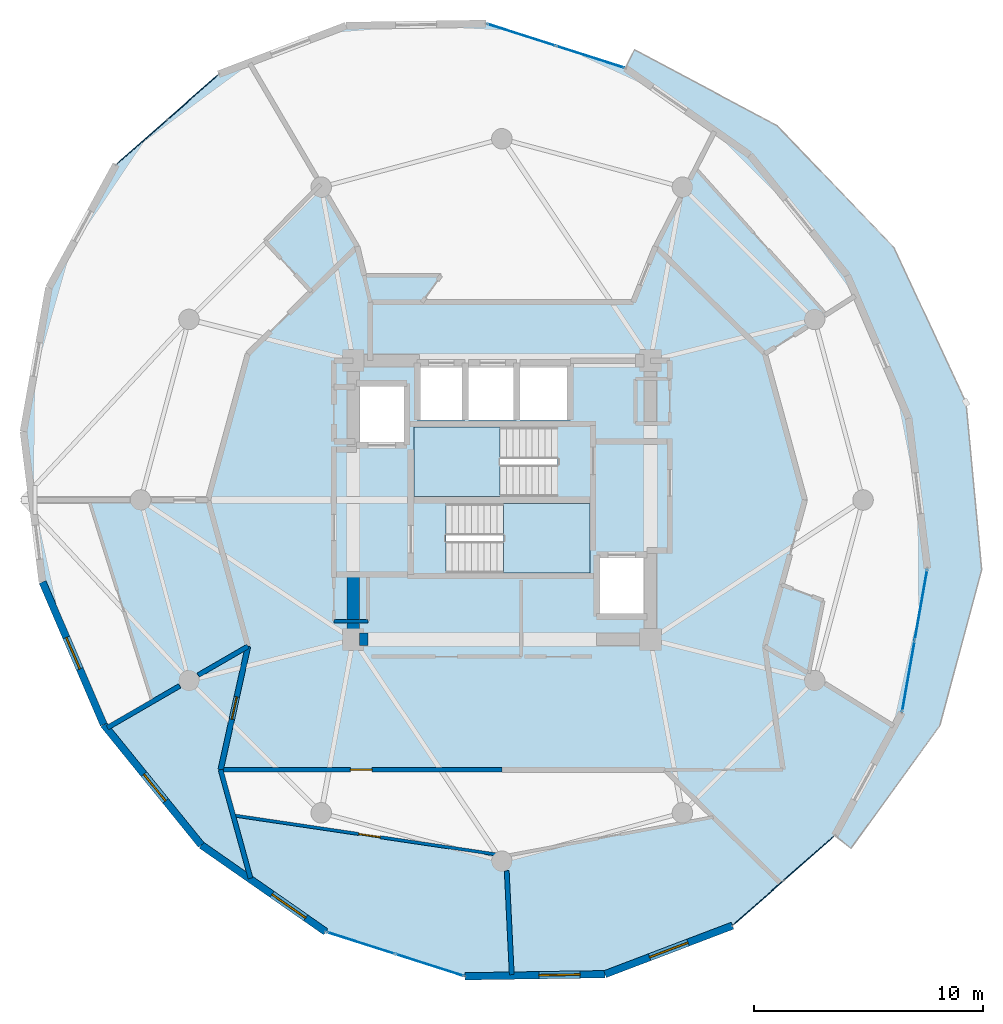
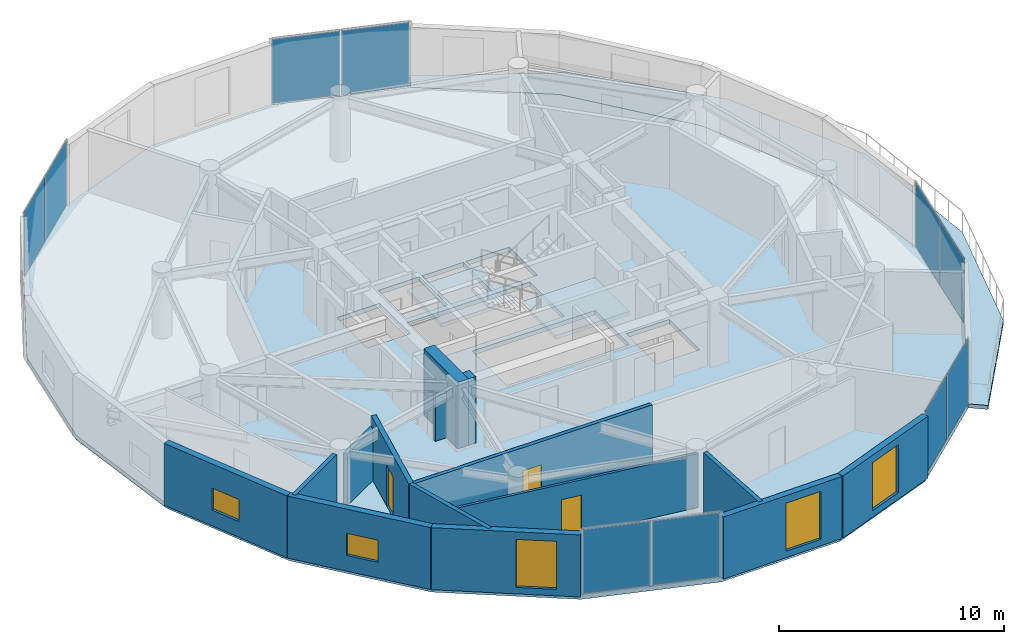
# One storey, part 12 of 18: 15 walls, 10 plates, 5 windows, 4 slabs, 3 doors, 8 openings, 7 elements without a shape of their own.
"""IFC4 building model written with IfcOpenShell, lengths in metres."""

from ifc_helpers import new_model, si_unit, direction, frame, frame_2d, origin, origin_2d, place, context, subcontext, project, spatial, polyline, rectangle, outline, extrude, source, transform, mapped, material, layer, layer_set, type_object, element, fill, aggregate, save


model = new_model("IFC4")

# Units and contexts
model_context = context("Model", 3, precision=1e-05, world=origin(), true_north=direction((0.0, 1.0)))
body_context = subcontext(model_context, "Body", "Model", "MODEL_VIEW")
ifc_project = project(units=[si_unit("LENGTHUNIT", "METRE"), si_unit("AREAUNIT", "SQUARE_METRE"), si_unit("VOLUMEUNIT", "CUBIC_METRE"), si_unit("PLANEANGLEUNIT", "RADIAN"), si_unit("MASSUNIT", "GRAM", prefix="KILO")], contexts=[model_context])

# Site, building, storey
site_placement = place(None, origin())
site = spatial("IfcSite", under=ifc_project, at=site_placement, CompositionType="ELEMENT")
building_placement = place(site_placement, origin())
building = spatial("IfcBuilding", under=site, at=building_placement, Name="Solvirekh Grand Hotel", CompositionType="ELEMENT")
storey_placement = place(building_placement, frame((0.0, 0.0, 187.60009765625)))
storey = spatial("IfcBuildingStorey", under=building, at=storey_placement, Name="L48", CompositionType="ELEMENT", Elevation=187.60009765625)

# Slab
ifc_material_1 = material(Name="Concrete C50/60", Category="concrete")
ifc_layer_1 = layer(ifc_material_1, 0.215087890625)
ifc_layer_set_1 = layer_set([ifc_layer_1], Name="Concrete C50/60")
slab_type_1 = type_object("IfcSlabType", Name="ExtCrescentBalc_215", PredefinedType="FLOOR", material=ifc_layer_set_1)
slab_1_placement = place(storey_placement, frame((0.0, 0.0, -0.215087890625)))
element("IfcSlab", 1, at=slab_1_placement, inside=storey, type_object=slab_type_1, Name="L48 sweeping crescent balcony slab", PredefinedType="FLOOR", context=body_context, shape_type="SweptSolid", body=[
    extrude(outline(polyline([(15.27197265625, -15.23388671875), (19.157958984375, -9.864990234375), (20.988037109375, -3.052978515625), (20.301025390625, 4.27001953125), (17.14599609375, 11.0458984375), (12.0400390625, 16.3720703125), (5.802978515625, 19.694091796875), (5.402099609375, 18.888916015625), (10.845947265625, 15.093017578125), (15.115966796875, 9.820068359375), (17.79296875, 3.5849609375), (18.616943359375, -3.0), (17.5048828125, -9.2919921875), (14.56689453125, -14.674072265625), (15.27197265625, -15.23388671875)])), origin(), (0.0, 0.0, 1.0), 0.215087890625),
])

# Stair, slab
ifc_material_2 = material(Name="Concrete C40/50", Category="concrete")
stair_type = type_object("IfcStairType", Name="Stair_Core_1450", PredefinedType="HALF_TURN_STAIR", material=ifc_material_2)
stair_1_placement = place(storey_placement, origin())
stair_1 = element("IfcStair", 2, at=stair_1_placement, inside=storey, type_object=stair_type, Name="L48 Enclosed exit stair ST-1", PredefinedType="HALF_TURN_STAIR")
ifc_layer_2 = layer(ifc_material_2, 0.199951171875)
ifc_layer_set_2 = layer_set([ifc_layer_2], Name="Concrete C40/50")
slab_type_2 = type_object("IfcSlabType", Name="Landing_Stair_200", PredefinedType="LANDING", material=ifc_layer_set_2)
slab_2_placement = place(storey_placement, frame((0.0, 0.0, 1.599853515625)))
slab_2 = element("IfcSlab", 3, at=slab_2_placement, type_object=slab_type_2, Name="ST-1 landing 1", PredefinedType="LANDING", context=body_context, shape_type="SweptSolid", body=[
    extrude(outline(polyline([(0.070068359375, -3.199951171875), (3.85009765625, -3.199951171875), (3.85009765625, -0.14990234375), (0.070068359375, -0.14990234375), (0.070068359375, -3.199951171875)])), origin(), (0.0, 0.0, 1.0), 0.199951171875),
])
aggregate(stair_1, [slab_2])

stair_2_placement = place(storey_placement, origin())
stair_2 = element("IfcStair", 4, at=stair_2_placement, inside=storey, type_object=stair_type, Name="L48 Enclosed exit stair ST-2", PredefinedType="HALF_TURN_STAIR")
slab_3_placement = place(storey_placement, frame((0.0, 0.0, 1.599853515625)))
slab_3 = element("IfcSlab", 5, at=slab_3_placement, type_object=slab_type_2, Name="ST-2 landing 1", PredefinedType="LANDING", context=body_context, shape_type="SweptSolid", body=[
    extrude(outline(polyline([(-0.070068359375, 3.199951171875), (-3.85009765625, 3.199951171875), (-3.85009765625, 0.14990234375), (-0.070068359375, 0.14990234375), (-0.070068359375, 3.199951171875)])), origin(), (0.0, 0.0, 1.0), 0.199951171875),
])
aggregate(stair_2, [slab_3])

# Slab
ifc_layer_3 = layer(ifc_material_2, 0.239990234375)
ifc_layer_set_3 = layer_set([ifc_layer_3], Name="Concrete C40/50")
slab_type_3 = type_object("IfcSlabType", Name="Slab_GuestZ3_240", PredefinedType="FLOOR", material=ifc_layer_set_3)
slab_4_placement = place(storey_placement, frame((0.0, 0.0, -0.239990234375)))
element("IfcSlab", 6, at=slab_4_placement, inside=storey, type_object=slab_type_3, Name="L48 structural floor slab", PredefinedType="FLOOR", context=body_context, shape_type="SweptSolid", body=[
    extrude(outline(polyline([(10.091064453125, -18.6201171875), (14.56689453125, -14.674072265625), (17.5048828125, -9.2919921875), (18.616943359375, -3.0), (17.79296875, 3.5849609375), (15.115966796875, 9.820068359375), (10.845947265625, 15.093017578125), (5.402099609375, 18.888916015625), (-0.68408203125, 20.8359375), (-6.81494140625, 20.742919921875), (-12.39111328125, 18.6201171875), (-16.866943359375, 14.674072265625), (-19.804931640625, 9.2919921875), (-20.9169921875, 3.0), (-20.093017578125, -3.5849609375), (-17.416015625, -9.820068359375), (-13.14599609375, -15.093017578125), (-7.701904296875, -18.888916015625), (-1.615966796875, -20.8359375), (4.514892578125, -20.742919921875), (10.091064453125, -18.6201171875)]), holes=[polyline([(-2.444091796875, -0.14990234375), (3.85009765625, -0.14990234375), (3.85009765625, -3.199951171875), (-2.444091796875, -3.199951171875), (-2.444091796875, -0.14990234375)]), polyline([(2.444091796875, 0.14990234375), (-3.85009765625, 0.14990234375), (-3.85009765625, 3.199951171875), (2.444091796875, 3.199951171875), (2.444091796875, 0.14990234375)]), polyline([(-3.699951171875, 6.0), (-1.60009765625, 6.0), (-1.60009765625, 3.5), (-3.699951171875, 3.5), (-3.699951171875, 6.0)]), polyline([(-1.449951171875, 6.0), (0.64990234375, 6.0), (0.64990234375, 3.5), (-1.449951171875, 3.5), (-1.449951171875, 6.0)]), polyline([(0.800048828125, 6.0), (3.0, 6.0), (3.0, 3.5), (0.800048828125, 3.5), (0.800048828125, 6.0)]), polyline([(-6.35009765625, 5.10009765625), (-4.14990234375, 5.10009765625), (-4.14990234375, 2.39990234375), (-6.35009765625, 2.39990234375), (-6.35009765625, 5.10009765625)]), polyline([(4.14990234375, -2.39990234375), (6.35009765625, -2.39990234375), (6.35009765625, -5.10009765625), (4.14990234375, -5.10009765625), (4.14990234375, -2.39990234375)])]), origin(), (0.0, 0.0, 1.0), 0.239990234375),
])

# Curtain wall, plates
ifc_material_3 = material(Name="Anodized Bronze Aluminium 6063-T6", Category="aluminium")
ifc_layer_4 = layer(ifc_material_3, 0.159912109375)
ifc_layer_set_4 = layer_set([ifc_layer_4], Name="Anodized Bronze Aluminium 6063-T6")
curtain_wall_type = type_object("IfcCurtainWallType", Name="CW_Sys4_HighZoneFlushBronzeCW", PredefinedType="NOTDEFINED", material=ifc_layer_set_4)
curtain_wall_1_placement = place(storey_placement, origin())
curtain_wall_1 = element("IfcCurtainWall", 7, at=curtain_wall_1_placement, inside=storey, type_object=curtain_wall_type, Name="L48 unitised bronze-glass curtain wall CW-L48-C03", PredefinedType="NOTDEFINED")
ifc_material_4 = material(Name="Low-E Tinted Bronze Laminated Glass", Category="aluminium")
ifc_layer_5 = layer(ifc_material_4, 0.033935546875)
ifc_layer_set_5 = layer_set([ifc_layer_5], Name="Low-E Tinted Bronze Laminated Glass")
plate_type = type_object("IfcPlateType", Name="CWPanel_High_34", PredefinedType="CURTAIN_PANEL", material=ifc_layer_set_5)
shared_shape_1 = source(origin(), body_context, "Body", "SweptSolid", [
    extrude(rectangle(XDim=3.104736328125, YDim=0.033935546875, at=origin_2d()), origin(), (0.0, 0.0, 1.0), 3.489990234375),
])
plate_1_placement = place(storey_placement, frame((17.78564453125, -7.704345703125, 0.0546875), z_axis=(0.0, 0.0, 1.0), x_axis=(0.174035318689, 0.984739411138, 0.0)))
plate_1 = element("IfcPlate", 8, at=plate_1_placement, type_object=plate_type, Name="U04 panel 1.1", PredefinedType="CURTAIN_PANEL", context=body_context, shape_type="MappedRepresentation", body=[
    mapped(shared_shape_1, transform((0.0, 0.0, 0.0), x_axis=(1.0, 0.0, 0.0), y_axis=(0.0, 1.0, 0.0), z_axis=(0.0, 0.0, 1.0), scale=1.0)),
])
plate_2_placement = place(storey_placement, frame((18.33642578125, -4.587890625, 0.0546875), z_axis=(0.0, 0.0, 1.0), x_axis=(0.174035318689, 0.984739411138, 0.0)))
plate_2 = element("IfcPlate", 9, at=plate_2_placement, type_object=plate_type, Name="U04 panel 2.1", PredefinedType="CURTAIN_PANEL", context=body_context, shape_type="MappedRepresentation", body=[
    mapped(shared_shape_1, transform((0.0, 0.0, 0.0), x_axis=(1.0, 0.0, 0.0), y_axis=(0.0, 1.0, 0.0), z_axis=(0.0, 0.0, 1.0), scale=1.0)),
])
aggregate(curtain_wall_1, [plate_1, plate_2])

curtain_wall_2_placement = place(storey_placement, origin())
curtain_wall_2 = element("IfcCurtainWall", 10, at=curtain_wall_2_placement, inside=storey, type_object=curtain_wall_type, Name="L48 unitised bronze-glass curtain wall CW-L48-C01", PredefinedType="NOTDEFINED")
shared_shape_2 = source(origin(), body_context, "Body", "SweptSolid", [
    extrude(rectangle(XDim=2.8935546875, YDim=0.033935546875, at=origin_2d()), origin(), (0.0, 0.0, 1.0), 3.489990234375),
])
plate_3_placement = place(storey_placement, frame((11.22119140625, -17.62353515625, 0.0546875), z_axis=(0.0, 0.0, 1.0), x_axis=(0.750121446147, 0.66130009529, 0.0)))
plate_3 = element("IfcPlate", 11, at=plate_3_placement, type_object=plate_type, Name="U04 panel 1.1", PredefinedType="CURTAIN_PANEL", context=body_context, shape_type="MappedRepresentation", body=[
    mapped(shared_shape_2, transform((0.0, 0.0, 0.0), x_axis=(1.0, 0.0, 0.0), y_axis=(0.0, 1.0, 0.0), z_axis=(0.0, 0.0, 1.0), scale=1.0)),
])
plate_4_placement = place(storey_placement, frame((13.436767578125, -15.67041015625, 0.0546875), z_axis=(0.0, 0.0, 1.0), x_axis=(0.750121446147, 0.66130009529, 0.0)))
plate_4 = element("IfcPlate", 12, at=plate_4_placement, type_object=plate_type, Name="U04 panel 2.1", PredefinedType="CURTAIN_PANEL", context=body_context, shape_type="MappedRepresentation", body=[
    mapped(shared_shape_2, transform((0.0, 0.0, 0.0), x_axis=(1.0, 0.0, 0.0), y_axis=(0.0, 1.0, 0.0), z_axis=(0.0, 0.0, 1.0), scale=1.0)),
])
aggregate(curtain_wall_2, [plate_3, plate_4])

curtain_wall_3_placement = place(storey_placement, origin())
curtain_wall_3 = element("IfcCurtainWall", 13, at=curtain_wall_3_placement, inside=storey, type_object=curtain_wall_type, Name="L48 unitised bronze-glass curtain wall CW-L48-C11", PredefinedType="NOTDEFINED")
plate_5_placement = place(storey_placement, frame((-13.521240234375, 17.62353515625, 0.0546875), z_axis=(0.0, 0.0, 1.0), x_axis=(-0.750121446147, -0.66130009529, 0.0)))
plate_5 = element("IfcPlate", 14, at=plate_5_placement, type_object=plate_type, Name="U04 panel 1.1", PredefinedType="CURTAIN_PANEL", context=body_context, shape_type="MappedRepresentation", body=[
    mapped(shared_shape_2, transform((0.0, 0.0, 0.0), x_axis=(1.0, 0.0, 0.0), y_axis=(0.0, 1.0, 0.0), z_axis=(0.0, 0.0, 1.0), scale=1.0)),
])
plate_6_placement = place(storey_placement, frame((-15.73681640625, 15.67041015625, 0.0546875), z_axis=(0.0, 0.0, 1.0), x_axis=(-0.750121446147, -0.66130009529, 0.0)))
plate_6 = element("IfcPlate", 15, at=plate_6_placement, type_object=plate_type, Name="U04 panel 2.1", PredefinedType="CURTAIN_PANEL", context=body_context, shape_type="MappedRepresentation", body=[
    mapped(shared_shape_2, transform((0.0, 0.0, 0.0), x_axis=(1.0, 0.0, 0.0), y_axis=(0.0, 1.0, 0.0), z_axis=(0.0, 0.0, 1.0), scale=1.0)),
])
aggregate(curtain_wall_3, [plate_5, plate_6])

curtain_wall_4_placement = place(storey_placement, origin())
curtain_wall_4 = element("IfcCurtainWall", 16, at=curtain_wall_4_placement, inside=storey, type_object=curtain_wall_type, Name="L48 unitised bronze-glass curtain wall CW-L48-C08", PredefinedType="NOTDEFINED")
shared_shape_3 = source(origin(), body_context, "Body", "SweptSolid", [
    extrude(rectangle(XDim=3.10498046875, YDim=0.033935546875, at=origin_2d()), origin(), (0.0, 0.0, 1.0), 3.489990234375),
])
plate_7_placement = place(storey_placement, frame((3.8662109375, 19.38037109375, 0.0546875), z_axis=(0.0, 0.0, 1.0), x_axis=(-0.952447766703, 0.3047019063, 0.0)))
plate_7 = element("IfcPlate", 17, at=plate_7_placement, type_object=plate_type, Name="U04 panel 1.1", PredefinedType="CURTAIN_PANEL", context=body_context, shape_type="MappedRepresentation", body=[
    mapped(shared_shape_3, transform((0.0, 0.0, 0.0), x_axis=(1.0, 0.0, 0.0), y_axis=(0.0, 1.0, 0.0), z_axis=(0.0, 0.0, 1.0), scale=1.0)),
])
plate_8_placement = place(storey_placement, frame((0.851806640625, 20.3447265625, 0.0546875), z_axis=(0.0, 0.0, 1.0), x_axis=(-0.952447766703, 0.3047019063, 0.0)))
plate_8 = element("IfcPlate", 18, at=plate_8_placement, type_object=plate_type, Name="U04 panel 2.1", PredefinedType="CURTAIN_PANEL", context=body_context, shape_type="MappedRepresentation", body=[
    mapped(shared_shape_3, transform((0.0, 0.0, 0.0), x_axis=(1.0, 0.0, 0.0), y_axis=(0.0, 1.0, 0.0), z_axis=(0.0, 0.0, 1.0), scale=1.0)),
])
aggregate(curtain_wall_4, [plate_7, plate_8])

curtain_wall_5_placement = place(storey_placement, origin())
curtain_wall_5 = element("IfcCurtainWall", 19, at=curtain_wall_5_placement, inside=storey, type_object=curtain_wall_type, Name="L48 unitised bronze-glass curtain wall CW-L48-C18", PredefinedType="NOTDEFINED")
plate_9_placement = place(storey_placement, frame((-6.166259765625, -19.38037109375, 0.0546875), z_axis=(0.0, 0.0, 1.0), x_axis=(0.952447766703, -0.3047019063, 0.0)))
plate_9 = element("IfcPlate", 20, at=plate_9_placement, type_object=plate_type, Name="U04 panel 1.1", PredefinedType="CURTAIN_PANEL", context=body_context, shape_type="MappedRepresentation", body=[
    mapped(shared_shape_3, transform((0.0, 0.0, 0.0), x_axis=(1.0, 0.0, 0.0), y_axis=(0.0, 1.0, 0.0), z_axis=(0.0, 0.0, 1.0), scale=1.0)),
])
plate_10_placement = place(storey_placement, frame((-3.15185546875, -20.3447265625, 0.0546875), z_axis=(0.0, 0.0, 1.0), x_axis=(0.952447766703, -0.3047019063, 0.0)))
plate_10 = element("IfcPlate", 21, at=plate_10_placement, type_object=plate_type, Name="U04 panel 2.1", PredefinedType="CURTAIN_PANEL", context=body_context, shape_type="MappedRepresentation", body=[
    mapped(shared_shape_3, transform((0.0, 0.0, 0.0), x_axis=(1.0, 0.0, 0.0), y_axis=(0.0, 1.0, 0.0), z_axis=(0.0, 0.0, 1.0), scale=1.0)),
])
aggregate(curtain_wall_5, [plate_9, plate_10])

# Walls
ifc_layer_6 = layer(ifc_material_1, 0.550048828125)
ifc_layer_set_6 = layer_set([ifc_layer_6], Name="Concrete C50/60")
wall_type_1 = type_object("IfcWallType", Name="CoreWall_RC550", PredefinedType="SHEAR", material=ifc_layer_set_6)
wall_1_placement = place(storey_placement, frame((-6.22509765625, -6.10009765625, 0.0), z_axis=(0.0, 0.0, 1.0), x_axis=(1.0, 0.0, 0.0)))
element("IfcWall", 22, at=wall_1_placement, inside=storey, type_object=wall_type_1, Name="L48 core corner shear wall SW-S", PredefinedType="SHEAR", context=body_context, shape_type="SweptSolid", body=[
    extrude(rectangle(XDim=0.375, YDim=0.550048828125, at=frame_2d((0.1875, 0.0))), origin(), (0.0, 0.0, 1.0), 3.599853515625),
])
wall_2_placement = place(storey_placement, frame((-6.5, -6.375, 0.0), z_axis=(0.0, 0.0, 1.0), x_axis=(0.0, 1.0, 0.0)))
element("IfcWall", 23, at=wall_2_placement, inside=storey, type_object=wall_type_1, Name="L48 core corner shear wall WS-W", PredefinedType="SHEAR", context=body_context, shape_type="SweptSolid", body=[
    extrude(rectangle(XDim=3.02490234375, YDim=0.550048828125, at=frame_2d((1.512451171875, 0.0))), origin(), (0.0, 0.0, 1.0), 3.599853515625),
])

# Wall, opening, window
ifc_material_5 = material(Name="Precast concrete C45/55", Category="concrete")
ifc_layer_7 = layer(ifc_material_5, 0.320068359375)
ifc_layer_set_7 = layer_set([ifc_layer_7], Name="Precast concrete C45/55")
wall_type_2 = type_object("IfcWallType", Name="ExtLobbyWall_RC320", PredefinedType="SOLIDWALL", material=ifc_layer_set_7)
wall_3_placement = place(storey_placement, frame((-17.416015625, -9.820068359375, 0.0), z_axis=(0.0, 0.0, 1.0), x_axis=(-0.394518464568, 0.91888801337, 0.0)))
wall_3 = element("IfcWall", 24, at=wall_3_placement, inside=storey, type_object=wall_type_2, Name="L48 cantilevered deck support wall chord 15", PredefinedType="SOLIDWALL", context=body_context, shape_type="SweptSolid", body=[
    extrude(rectangle(XDim=6.785400390625, YDim=0.320068359375, at=frame_2d((3.392578125, 0.0))), origin(), (0.0, 0.0, 1.0), 3.35986328125),
])
opening_1_placement = place(wall_3_placement, frame((2.64306640625, 0.0, 0.85009765625)))
opening_1 = element("IfcOpeningElement", 25, at=opening_1_placement, cuts=wall_3, Name="Opening W05", PredefinedType="OPENING", context=body_context, shape_type="SweptSolid", body=[
    extrude(rectangle(XDim=1.5, YDim=1.199951171875, at=frame_2d((0.75, 0.60009765625))), frame((0.0, 0.169921875, 0.0), z_axis=(0.0, -1.0, 0.0), x_axis=(1.0, 0.0, 0.0)), (0.0, 0.0, 1.0), 0.340087890625),
])
window_type_1 = type_object("IfcWindowType", Name="Win_PlantVent_1500X1200", PartitioningType="SINGLE_PANEL", PredefinedType="WINDOW", material=ifc_material_4)
window_1_placement = place(opening_1_placement, origin())
window_1 = element("IfcWindow", 26, at=window_1_placement, inside=storey, type_object=window_type_1, Name="L48 bronze-framed vision ribbon window 15", OverallHeight=1.199951171875, OverallWidth=1.5, PartitioningType="SINGLE_PANEL", PredefinedType="WINDOW", context=body_context, shape_type="SweptSolid", body=[
    extrude(rectangle(XDim=1.5, YDim=1.199951171875, at=frame_2d((0.75, 0.60009765625))), frame((0.0, 0.030029296875, 0.0), z_axis=(0.0, -1.0, 0.0), x_axis=(1.0, 0.0, 0.0)), (0.0, 0.0, 1.0), 0.06005859375),
])
fill(opening_1, window_1)

wall_4_placement = place(storey_placement, frame((-13.14599609375, -15.093017578125, 0.0), z_axis=(0.0, 0.0, 1.0), x_axis=(-0.629326572603, 0.777140955693, 0.0)))
wall_4 = element("IfcWall", 27, at=wall_4_placement, inside=storey, type_object=wall_type_2, Name="L48 cantilevered deck support wall chord 16", PredefinedType="SOLIDWALL", context=body_context, shape_type="SweptSolid", body=[
    extrude(rectangle(XDim=6.78515625, YDim=0.320068359375, at=frame_2d((3.392578125, 0.0))), origin(), (0.0, 0.0, 1.0), 3.35986328125),
])
opening_2_placement = place(wall_4_placement, frame((2.487060546875, 0.0, 0.85009765625)))
opening_2 = element("IfcOpeningElement", 28, at=opening_2_placement, cuts=wall_4, Name="Opening W05", PredefinedType="OPENING", context=body_context, shape_type="SweptSolid", body=[
    extrude(rectangle(XDim=1.5, YDim=1.199951171875, at=frame_2d((0.75, 0.60009765625))), frame((0.0, 0.169921875, 0.0), z_axis=(0.0, -1.0, 0.0), x_axis=(1.0, 0.0, 0.0)), (0.0, 0.0, 1.0), 0.340087890625),
])
window_2_placement = place(opening_2_placement, origin())
window_2 = element("IfcWindow", 29, at=window_2_placement, inside=storey, type_object=window_type_1, Name="L48 bronze-framed vision ribbon window 16", OverallHeight=1.199951171875, OverallWidth=1.5, PartitioningType="SINGLE_PANEL", PredefinedType="WINDOW", context=body_context, shape_type="SweptSolid", body=[
    extrude(rectangle(XDim=1.5, YDim=1.199951171875, at=frame_2d((0.75, 0.60009765625))), frame((0.0, 0.030029296875, 0.0), z_axis=(0.0, -1.0, 0.0), x_axis=(1.0, 0.0, 0.0)), (0.0, 0.0, 1.0), 0.06005859375),
])
fill(opening_2, window_2)

wall_5_placement = place(storey_placement, frame((-7.701904296875, -18.888916015625, 0.0), z_axis=(0.0, 0.0, 1.0), x_axis=(-0.820289908615, 0.571947957269, 0.0)))
wall_5 = element("IfcWall", 30, at=wall_5_placement, inside=storey, type_object=wall_type_2, Name="L48 exterior structural wall chord 17", PredefinedType="SOLIDWALL", context=body_context, shape_type="SweptSolid", body=[
    extrude(rectangle(XDim=6.63671875, YDim=0.320068359375, at=frame_2d((3.318359375, 0.0))), origin(), (0.0, 0.0, 1.0), 3.35986328125),
])
opening_3_placement = place(wall_5_placement, frame((1.070068359375, 0.0, 0.35009765625)))
opening_3 = element("IfcOpeningElement", 31, at=opening_3_placement, cuts=wall_5, Name="Opening W02", PredefinedType="OPENING", context=body_context, shape_type="SweptSolid", body=[
    extrude(rectangle(XDim=1.800048828125, YDim=2.60009765625, at=frame_2d((0.89990234375, 1.300048828125))), frame((0.0, 0.169921875, 0.0), z_axis=(0.0, -1.0, 0.0), x_axis=(1.0, 0.0, 0.0)), (0.0, 0.0, 1.0), 0.340087890625),
])
window_type_2 = type_object("IfcWindowType", Name="Win_LobbyExt_1800X2600", PartitioningType="SINGLE_PANEL", PredefinedType="WINDOW", material=ifc_material_4)
window_3_placement = place(opening_3_placement, origin())
window_3 = element("IfcWindow", 32, at=window_3_placement, inside=storey, type_object=window_type_2, Name="L48 panoramic bronze-framed window 17", OverallHeight=2.60009765625, OverallWidth=1.800048828125, PartitioningType="SINGLE_PANEL", PredefinedType="WINDOW", context=body_context, shape_type="SweptSolid", body=[
    extrude(rectangle(XDim=1.800048828125, YDim=2.60009765625, at=frame_2d((0.89990234375, 1.300048828125))), frame((0.0, 0.030029296875, 0.0), z_axis=(0.0, -1.0, 0.0), x_axis=(1.0, 0.0, 0.0)), (0.0, 0.0, 1.0), 0.06005859375),
])
fill(opening_3, window_3)

wall_6_placement = place(storey_placement, frame((4.514892578125, -20.742919921875, 0.0), z_axis=(0.0, 0.0, 1.0), x_axis=(-0.99988492463, -0.015170283382, 0.0)))
wall_6 = element("IfcWall", 33, at=wall_6_placement, inside=storey, type_object=wall_type_2, Name="L48 exterior structural wall chord 19", PredefinedType="SOLIDWALL", context=body_context, shape_type="SweptSolid", body=[
    extrude(rectangle(XDim=6.131591796875, YDim=0.320068359375, at=frame_2d((3.06591796875, 0.0))), origin(), (0.0, 0.0, 1.0), 3.35986328125),
])
opening_4_placement = place(wall_6_placement, frame((1.090087890625, 0.0, 0.35009765625)))
opening_4 = element("IfcOpeningElement", 34, at=opening_4_placement, cuts=wall_6, Name="Opening W02", PredefinedType="OPENING", context=body_context, shape_type="SweptSolid", body=[
    extrude(rectangle(XDim=1.800048828125, YDim=2.60009765625, at=frame_2d((0.89990234375, 1.300048828125))), frame((0.0, 0.169921875, 0.0), z_axis=(0.0, -1.0, 0.0), x_axis=(1.0, 0.0, 0.0)), (0.0, 0.0, 1.0), 0.340087890625),
])
window_4_placement = place(opening_4_placement, origin())
window_4 = element("IfcWindow", 35, at=window_4_placement, inside=storey, type_object=window_type_2, Name="L48 panoramic bronze-framed window 19", OverallHeight=2.60009765625, OverallWidth=1.800048828125, PartitioningType="SINGLE_PANEL", PredefinedType="WINDOW", context=body_context, shape_type="SweptSolid", body=[
    extrude(rectangle(XDim=1.800048828125, YDim=2.60009765625, at=frame_2d((0.89990234375, 1.300048828125))), frame((0.0, 0.030029296875, 0.0), z_axis=(0.0, -1.0, 0.0), x_axis=(1.0, 0.0, 0.0)), (0.0, 0.0, 1.0), 0.06005859375),
])
fill(opening_4, window_4)

wall_7_placement = place(storey_placement, frame((10.091064453125, -18.6201171875, 0.0), z_axis=(0.0, 0.0, 1.0), x_axis=(-0.934568736607, -0.355782625429, 0.0)))
wall_7 = element("IfcWall", 36, at=wall_7_placement, inside=storey, type_object=wall_type_2, Name="L48 exterior structural wall chord 20", PredefinedType="SOLIDWALL", context=body_context, shape_type="SweptSolid", body=[
    extrude(rectangle(XDim=5.966552734375, YDim=0.320068359375, at=frame_2d((2.9833984375, 0.0))), origin(), (0.0, 0.0, 1.0), 3.35986328125),
])
opening_5_placement = place(wall_7_placement, frame((2.0830078125, 0.0, 0.35009765625)))
opening_5 = element("IfcOpeningElement", 37, at=opening_5_placement, cuts=wall_7, Name="Opening W02", PredefinedType="OPENING", context=body_context, shape_type="SweptSolid", body=[
    extrude(rectangle(XDim=1.800048828125, YDim=2.60009765625, at=frame_2d((0.89990234375, 1.300048828125))), frame((0.0, 0.169921875, 0.0), z_axis=(0.0, -1.0, 0.0), x_axis=(1.0, 0.0, 0.0)), (0.0, 0.0, 1.0), 0.340087890625),
])
window_5_placement = place(opening_5_placement, origin())
window_5 = element("IfcWindow", 38, at=window_5_placement, inside=storey, type_object=window_type_2, Name="L48 panoramic bronze-framed window 20", OverallHeight=2.60009765625, OverallWidth=1.800048828125, PartitioningType="SINGLE_PANEL", PredefinedType="WINDOW", context=body_context, shape_type="SweptSolid", body=[
    extrude(rectangle(XDim=1.800048828125, YDim=2.60009765625, at=frame_2d((0.89990234375, 1.300048828125))), frame((0.0, 0.030029296875, 0.0), z_axis=(0.0, -1.0, 0.0), x_axis=(1.0, 0.0, 0.0)), (0.0, 0.0, 1.0), 0.06005859375),
])
fill(opening_5, window_5)

# Wall
ifc_material_6 = material(Name="Acoustic Gypsum Partition Assembly")
ifc_layer_8 = layer(ifc_material_6, 0.1650390625)
ifc_layer_set_8 = layer_set([ifc_layer_8], Name="Acoustic Gypsum Partition Assembly")
wall_type_3 = type_object("IfcWallType", Name="Part_BOH_165", PredefinedType="PARTITIONING", material=ifc_layer_set_8)
wall_8_placement = place(storey_placement, frame((-7.35009765625, -5.300048828125, 0.0), z_axis=(0.0, 0.0, 1.0), x_axis=(1.0, 0.0, 0.0)))
element("IfcWall", 39, at=wall_8_placement, inside=storey, type_object=wall_type_3, Name="L48 L48 Butler Service Closet wall 1", PredefinedType="PARTITIONING", context=body_context, shape_type="SweptSolid", body=[
    extrude(rectangle(XDim=1.5, YDim=0.1650390625, at=frame_2d((0.75, 0.0))), origin(), (0.0, 0.0, 1.0), 2.44482421875),
])

# Wall, opening, door
ifc_layer_9 = layer(ifc_material_6, 0.239990234375)
ifc_layer_set_9 = layer_set([ifc_layer_9], Name="Acoustic Gypsum Partition Assembly")
wall_type_4 = type_object("IfcWallType", Name="Part_Corridor_240", PredefinedType="PARTITIONING", material=ifc_layer_set_9)
wall_9_placement = place(storey_placement, frame((-11.10205078125, -6.39990234375, 0.0), z_axis=(0.0, 0.0, 1.0), x_axis=(-0.216579944639, -0.976264885971, 0.0)))
wall_9 = element("IfcWall", 40, at=wall_9_placement, inside=storey, type_object=wall_type_4, Name="L48 L48 South-West Study Lounge entrance wall", PredefinedType="PARTITIONING", context=body_context, shape_type="SweptSolid", body=[
    extrude(rectangle(XDim=5.531494140625, YDim=0.239990234375, at=frame_2d((2.765625, 0.0))), origin(), (0.0, 0.0, 1.0), 3.35986328125),
])
opening_6_placement = place(wall_9_placement, frame((2.26611328125, 0.0, 0.0)))
opening_6 = element("IfcOpeningElement", 41, at=opening_6_placement, cuts=wall_9, Name="Opening D07", PredefinedType="OPENING", context=body_context, shape_type="SweptSolid", body=[
    extrude(rectangle(XDim=1.0, YDim=2.199951171875, at=frame_2d((0.5, 1.10009765625))), frame((0.0, 0.1298828125, 0.0), z_axis=(0.0, -1.0, 0.0), x_axis=(1.0, 0.0, 0.0)), (0.0, 0.0, 1.0), 0.260009765625),
])
ifc_material_7 = material(Name="Fire-Rated Steel Door Assembly", Category="steel")
door_type_1 = type_object("IfcDoorType", Name="Door_GuestEntry_1000X2200", OperationType="NOTDEFINED", PredefinedType="DOOR", material=ifc_material_7)
door_1_placement = place(opening_6_placement, origin())
door_1 = element("IfcDoor", 42, at=door_1_placement, inside=storey, type_object=door_type_1, Name="L48 L48 South-West Study Lounge entrance door", OperationType="SINGLE_SWING_RIGHT", OverallHeight=2.199951171875, OverallWidth=1.0, PredefinedType="DOOR", context=body_context, shape_type="SweptSolid", body=[
    extrude(rectangle(XDim=1.0, YDim=2.199951171875, at=frame_2d((0.5, 1.10009765625))), frame((0.0, 0.02490234375, 0.0), z_axis=(0.0, -1.0, 0.0), x_axis=(1.0, 0.0, 0.0)), (0.0, 0.0, 1.0), 0.050048828125),
])
fill(opening_6, door_1)

ifc_layer_10 = layer(ifc_material_6, 0.18994140625)
ifc_layer_set_10 = layer_set([ifc_layer_10], Name="Acoustic Gypsum Partition Assembly")
wall_type_5 = type_object("IfcWallType", Name="Part_GuestDemise_190", PredefinedType="PARTITIONING", material=ifc_layer_set_10)
wall_10_placement = place(storey_placement, frame((-12.300048828125, -11.800048828125, 0.0), z_axis=(0.0, 0.0, 1.0), x_axis=(1.0, 0.0, 0.0)))
wall_10 = element("IfcWall", 43, at=wall_10_placement, inside=storey, type_object=wall_type_5, Name="L48 L48 Imperial Tea Lounge entrance wall", PredefinedType="PARTITIONING", context=body_context, shape_type="SweptSolid", body=[
    extrude(rectangle(XDim=12.300048828125, YDim=0.18994140625, at=frame_2d((6.14990234375, 0.0))), origin(), (0.0, 0.0, 1.0), 3.35986328125),
])
opening_7_placement = place(wall_10_placement, frame((5.675048828125, 0.0, 0.0)))
opening_7 = element("IfcOpeningElement", 44, at=opening_7_placement, cuts=wall_10, Name="Opening D10", PredefinedType="OPENING", context=body_context, shape_type="SweptSolid", body=[
    extrude(rectangle(XDim=0.949951171875, YDim=2.10009765625, at=frame_2d((0.47509765625, 1.050048828125))), frame((0.0, 0.10498046875, 0.0), z_axis=(0.0, -1.0, 0.0), x_axis=(1.0, 0.0, 0.0)), (0.0, 0.0, 1.0), 0.2099609375),
])
door_type_2 = type_object("IfcDoorType", Name="Door_RoomInt_950X2100", OperationType="NOTDEFINED", PredefinedType="DOOR", material=ifc_material_3)
door_2_placement = place(opening_7_placement, origin())
door_2 = element("IfcDoor", 45, at=door_2_placement, inside=storey, type_object=door_type_2, Name="L48 L48 Imperial Tea Lounge entrance door", OperationType="SINGLE_SWING_LEFT", OverallHeight=2.10009765625, OverallWidth=0.949951171875, PredefinedType="DOOR", context=body_context, shape_type="SweptSolid", body=[
    extrude(rectangle(XDim=0.949951171875, YDim=2.10009765625, at=frame_2d((0.47509765625, 1.050048828125))), frame((0.0, 0.02490234375, 0.0), z_axis=(0.0, -1.0, 0.0), x_axis=(1.0, 0.0, 0.0)), (0.0, 0.0, 1.0), 0.050048828125),
])
fill(opening_7, door_2)

ifc_layer_11 = layer(ifc_material_6, 0.135009765625)
ifc_layer_set_11 = layer_set([ifc_layer_11], Name="Acoustic Gypsum Partition Assembly")
wall_type_6 = type_object("IfcWallType", Name="Part_RoomInt_135", PredefinedType="PARTITIONING", material=ifc_layer_set_11)
wall_11_placement = place(storey_placement, frame((-11.7509765625, -13.79296875, 0.0), z_axis=(0.0, 0.0, 1.0), x_axis=(0.989155822626, -0.146869869494, 0.0)))
wall_11 = element("IfcWall", 46, at=wall_11_placement, inside=storey, type_object=wall_type_6, Name="L48 L48 South Horizon Conservatory bedroom screen wall", PredefinedType="PARTITIONING", context=body_context, shape_type="SweptSolid", body=[
    extrude(rectangle(XDim=12.06494140625, YDim=0.135009765625, at=frame_2d((6.032470703125, 0.0))), origin(), (0.0, 0.0, 1.0), 2.928955078125),
])
opening_8_placement = place(wall_11_placement, frame((5.556884765625, 0.0, 0.0)))
opening_8 = element("IfcOpeningElement", 47, at=opening_8_placement, cuts=wall_11, Name="Opening D10", PredefinedType="OPENING", context=body_context, shape_type="SweptSolid", body=[
    extrude(rectangle(XDim=0.949951171875, YDim=2.10009765625, at=frame_2d((0.47509765625, 1.050048828125))), frame((0.0, 0.07763671875, 0.0), z_axis=(0.0, -1.0, 0.0), x_axis=(1.0, 0.0, 0.0)), (0.0, 0.0, 1.0), 0.155029296875),
])
door_3_placement = place(opening_8_placement, origin())
door_3 = element("IfcDoor", 48, at=door_3_placement, inside=storey, type_object=door_type_2, Name="L48 L48 South Horizon Conservatory master bedroom door", OperationType="SINGLE_SWING_LEFT", OverallHeight=2.10009765625, OverallWidth=0.949951171875, PredefinedType="DOOR", context=body_context, shape_type="SweptSolid", body=[
    extrude(rectangle(XDim=0.949951171875, YDim=2.10009765625, at=frame_2d((0.47509765625, 1.050048828125))), frame((0.0, 0.02490234375, 0.0), z_axis=(0.0, -1.0, 0.0), x_axis=(1.0, 0.0, 0.0)), (0.0, 0.0, 1.0), 0.050048828125),
])
fill(opening_8, door_3)

# Walls
ifc_layer_12 = layer(ifc_material_6, 0.2099609375)
ifc_layer_set_12 = layer_set([ifc_layer_12], Name="Acoustic Gypsum Partition Assembly")
wall_type_7 = type_object("IfcWallType", Name="Part_SuiteDemise_210", PredefinedType="PARTITIONING", material=ifc_layer_set_12)
wall_12_placement = place(storey_placement, frame((-11.10205078125, -6.39990234375, 0.0), z_axis=(0.0, 0.0, 1.0), x_axis=(-0.8654883009, -0.500929137708, 0.0)))
element("IfcWall", 49, at=wall_12_placement, inside=storey, type_object=wall_type_7, Name="L48 suite radial wall 8 (A)", PredefinedType="PARTITIONING", context=body_context, shape_type="SweptSolid", body=[
    extrude(rectangle(XDim=2.515380859375, YDim=0.2099609375, at=frame_2d((1.2578125, 0.0))), origin(), (0.0, 0.0, 1.0), 2.80078125),
])
wall_13_placement = place(storey_placement, frame((-14.092041015625, -8.131103515625, 0.0), z_axis=(0.0, 0.0, 1.0), x_axis=(-0.865493424792, -0.500920284719, 0.0)))
element("IfcWall", 50, at=wall_13_placement, inside=storey, type_object=wall_type_7, Name="L48 suite radial wall 8 (B)", PredefinedType="PARTITIONING", context=body_context, shape_type="SweptSolid", body=[
    extrude(rectangle(XDim=3.65087890625, YDim=0.2099609375, at=frame_2d((1.825439453125, 0.0))), origin(), (0.0, 0.0, 1.0), 3.35986328125),
])
wall_14_placement = place(storey_placement, frame((-12.300048828125, -11.800048828125, 0.0), z_axis=(0.0, 0.0, 1.0), x_axis=(0.265538015771, -0.964100390095, 0.0)))
element("IfcWall", 51, at=wall_14_placement, inside=storey, type_object=wall_type_7, Name="L48 L48 Imperial Tea Lounge dividing partition 2", PredefinedType="PARTITIONING", context=body_context, shape_type="SweptSolid", body=[
    extrude(rectangle(XDim=4.922607421875, YDim=0.2099609375, at=frame_2d((2.46142578125, 0.0))), origin(), (0.0, 0.0, 1.0), 3.35986328125),
])
wall_15_placement = place(storey_placement, frame((0.215087890625, -16.218017578125, 0.0), z_axis=(0.0, 0.0, 1.0), x_axis=(0.048321921396, -0.998831813627, 0.0)))
element("IfcWall", 52, at=wall_15_placement, inside=storey, type_object=wall_type_7, Name="L48 L48 South Horizon Conservatory dividing partition 1 (A)", PredefinedType="PARTITIONING", context=body_context, shape_type="SweptSolid", body=[
    extrude(rectangle(XDim=4.55224609375, YDim=0.2099609375, at=frame_2d((2.276123046875, 0.0))), origin(), (0.0, 0.0, 1.0), 3.35986328125),
])

save(model, "model.ifc")
